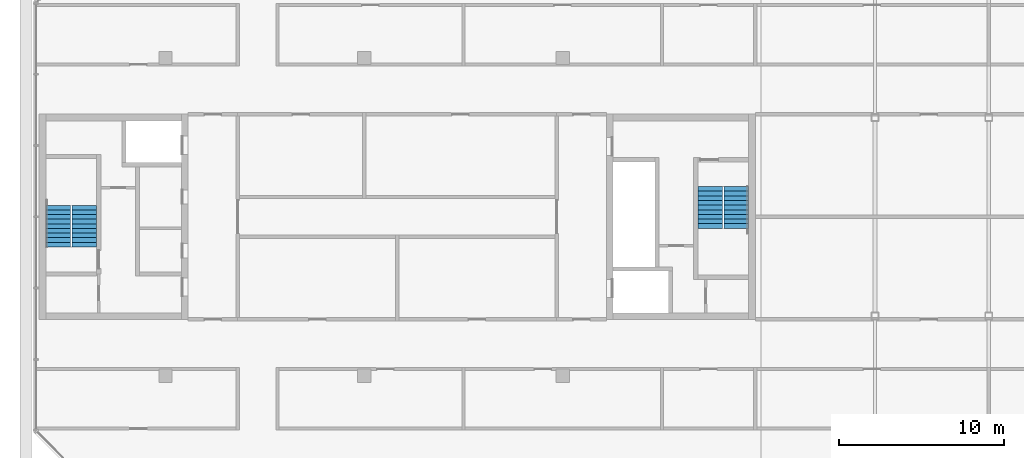
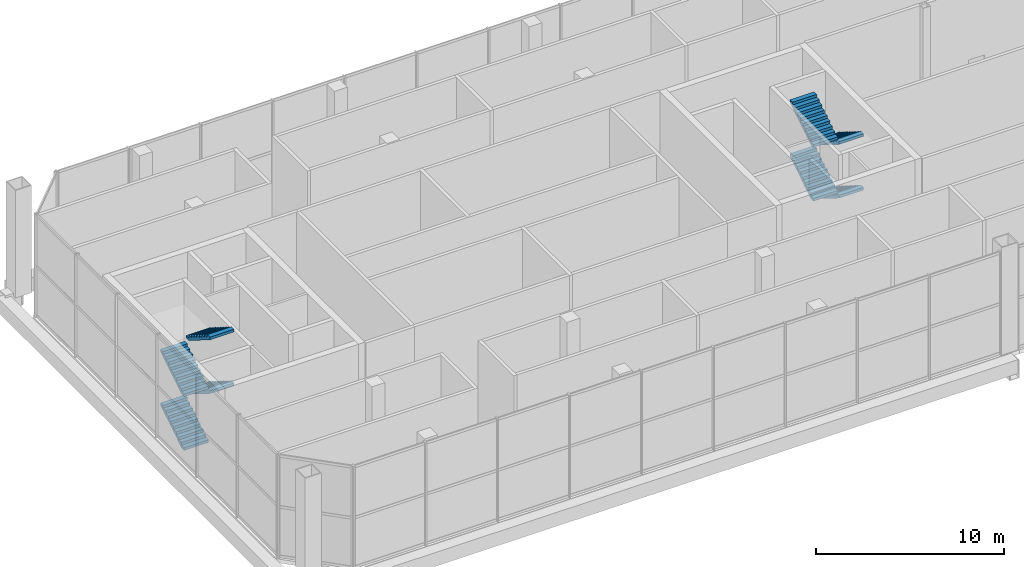
# One storey, part 26 of 27: 8 stair flights, 2 elements without a shape of their own.
"""IFC4 building model written with IfcOpenShell, lengths in metres."""

from ifc_helpers import new_model, si_unit, direction, frame, origin, place, context, subcontext, project, spatial, faceted_brep, material, type_object, element, aggregate, save


model = new_model("IFC4")

# Units and contexts
model_context = context("Model", 3, precision=1e-05, world=origin(), true_north=direction((0.0, 1.0)))
body_context = subcontext(model_context, "Body", "Model", "MODEL_VIEW")
ifc_project = project(units=[si_unit("LENGTHUNIT", "METRE"), si_unit("AREAUNIT", "SQUARE_METRE"), si_unit("VOLUMEUNIT", "CUBIC_METRE"), si_unit("PLANEANGLEUNIT", "RADIAN"), si_unit("MASSUNIT", "GRAM", prefix="KILO")], contexts=[model_context])

# Site, building, storey
site_placement = place(None, origin())
site = spatial("IfcSite", under=ifc_project, at=site_placement, CompositionType="ELEMENT")
building_placement = place(site_placement, origin())
building = spatial("IfcBuilding", under=site, at=building_placement, Name="Tuart Gate Housing", CompositionType="ELEMENT")
storey_placement = place(building_placement, frame((0.0, 0.0, 236.89990234375)))
storey = spatial("IfcBuildingStorey", under=building, at=storey_placement, Name="L67", CompositionType="ELEMENT", Elevation=236.89990234375)

# Stair, stair flights
ifc_material_1 = material(Name="Concrete C40", Category="concrete")
stair_type = type_object("IfcStairType", Name="Core stair 1500", PredefinedType="HALF_TURN_STAIR", material=ifc_material_1)
stair_1_placement = place(storey_placement, origin())
stair_1 = element("IfcStair", 1, at=stair_1_placement, inside=storey, type_object=stair_type, Name="Stair SA1", PredefinedType="HALF_TURN_STAIR")
ifc_material_2 = material(Name="Concrete C40", Category="concrete")
stair_flight_type = type_object("IfcStairFlightType", Name="Stair flight 1500, 10 risers 175 x 280", PredefinedType="STRAIGHT", material=ifc_material_2)
stair_flight_1_placement = place(storey_placement, frame((74.489990234375, 71.824951171875, 0.0), z_axis=(0.0, 0.0, 1.0), x_axis=(0.0, -1.0, 0.0)))
stair_flight_1 = element("IfcStairFlight", 2, at=stair_flight_1_placement, type_object=stair_flight_type, Name="SA1 flight 1", NumberOfRisers=10, NumberOfTreads=9, PredefinedType="STRAIGHT", RiserHeight=0.175, TreadLength=0.28, context=body_context, shape_type="Brep", body=[
    faceted_brep([(0.0, 0.75, 0.0), (0.0, 0.75, 0.175048828125), (0.280029296875, 0.75, 0.175048828125), (0.280029296875, 0.75, 0.35009765625), (0.56005859375, 0.75, 0.35009765625), (0.56005859375, 0.75, 0.52490234375), (0.840087890625, 0.75, 0.52490234375), (0.840087890625, 0.75, 0.699951171875), (1.1201171875, 0.75, 0.699951171875), (1.1201171875, 0.75, 0.875), (1.39990234375, 0.75, 0.875), (1.39990234375, 0.75, 1.050048828125), (1.679931640625, 0.75, 1.050048828125), (1.679931640625, 0.75, 1.22509765625), (1.9599609375, 0.75, 1.22509765625), (1.9599609375, 0.75, 1.39990234375), (2.239990234375, 0.75, 1.39990234375), (2.239990234375, 0.75, 1.574951171875), (2.52001953125, 0.75, 1.574951171875), (2.52001953125, 0.75, 1.398193359375), (0.28271484375, 0.75, 0.0), (0.28271484375, -0.75, 0.0), (2.52001953125, -0.75, 1.398193359375), (2.52001953125, -0.75, 1.574951171875), (2.239990234375, -0.75, 1.574951171875), (2.239990234375, -0.75, 1.39990234375), (1.9599609375, -0.75, 1.39990234375), (1.9599609375, -0.75, 1.22509765625), (1.679931640625, -0.75, 1.22509765625), (1.679931640625, -0.75, 1.050048828125), (1.39990234375, -0.75, 1.050048828125), (1.39990234375, -0.75, 0.875), (1.1201171875, -0.75, 0.875), (1.1201171875, -0.75, 0.699951171875), (0.840087890625, -0.75, 0.699951171875), (0.840087890625, -0.75, 0.52490234375), (0.56005859375, -0.75, 0.52490234375), (0.56005859375, -0.75, 0.35009765625), (0.280029296875, -0.75, 0.35009765625), (0.280029296875, -0.75, 0.175048828125), (0.0, -0.75, 0.175048828125), (0.0, -0.75, 0.0), (2.52001953125, 0.0, 1.398193359375), (0.28271484375, 0.0, 0.0), (2.52001953125, 0.0, 1.574951171875), (2.239990234375, 0.0, 1.574951171875), (2.239990234375, 0.0, 1.39990234375), (1.9599609375, 0.0, 1.39990234375), (1.9599609375, 0.0, 1.22509765625), (1.679931640625, 0.0, 1.22509765625), (1.679931640625, 0.0, 1.050048828125), (1.39990234375, 0.0, 1.050048828125), (1.39990234375, 0.0, 0.875), (1.1201171875, 0.0, 0.875), (1.1201171875, 0.0, 0.699951171875), (0.840087890625, 0.0, 0.699951171875), (0.840087890625, 0.0, 0.52490234375), (0.56005859375, 0.0, 0.52490234375), (0.56005859375, 0.0, 0.35009765625), (0.280029296875, 0.0, 0.35009765625), (0.280029296875, 0.0, 0.175048828125), (0.0, 0.0, 0.175048828125), (0.0, 0.0, 0.0)], [[[0, 1, 2, 3, 4, 5, 6, 7, 8, 9, 10, 11, 12, 13, 14, 15, 16, 17, 18, 19, 20]], [[21, 22, 23, 24, 25, 26, 27, 28, 29, 30, 31, 32, 33, 34, 35, 36, 37, 38, 39, 40, 41]], [[20, 19, 42, 43]], [[43, 42, 22, 21]], [[19, 18, 44, 42]], [[42, 44, 23, 22]], [[18, 17, 45, 44]], [[44, 45, 24, 23]], [[17, 16, 46, 45]], [[45, 46, 25, 24]], [[16, 15, 47, 46]], [[46, 47, 26, 25]], [[15, 14, 48, 47]], [[47, 48, 27, 26]], [[14, 13, 49, 48]], [[48, 49, 28, 27]], [[13, 12, 50, 49]], [[49, 50, 29, 28]], [[12, 11, 51, 50]], [[50, 51, 30, 29]], [[11, 10, 52, 51]], [[51, 52, 31, 30]], [[10, 9, 53, 52]], [[52, 53, 32, 31]], [[9, 8, 54, 53]], [[53, 54, 33, 32]], [[8, 7, 55, 54]], [[54, 55, 34, 33]], [[7, 6, 56, 55]], [[55, 56, 35, 34]], [[6, 5, 57, 56]], [[56, 57, 36, 35]], [[5, 4, 58, 57]], [[57, 58, 37, 36]], [[4, 3, 59, 58]], [[58, 59, 38, 37]], [[3, 2, 60, 59]], [[59, 60, 39, 38]], [[2, 1, 61, 60]], [[60, 61, 40, 39]], [[1, 0, 62, 61]], [[61, 62, 41, 40]], [[0, 20, 43, 62]], [[62, 43, 21, 41]]]),
])
stair_flight_2_placement = place(storey_placement, frame((72.9150390625, 69.304931640625, 1.75), z_axis=(0.0, 0.0, 1.0), x_axis=(0.0, 1.0, 0.0)))
stair_flight_2 = element("IfcStairFlight", 3, at=stair_flight_2_placement, type_object=stair_flight_type, Name="SA1 flight 2", NumberOfRisers=10, NumberOfTreads=9, PredefinedType="STRAIGHT", RiserHeight=0.175, TreadLength=0.28, context=body_context, shape_type="Brep", body=[
    faceted_brep([(0.0, 0.75, 0.0), (0.0, 0.75, 0.175048828125), (0.280029296875, 0.75, 0.175048828125), (0.280029296875, 0.75, 0.35009765625), (0.56005859375, 0.75, 0.35009765625), (0.56005859375, 0.75, 0.52490234375), (0.840087890625, 0.75, 0.52490234375), (0.840087890625, 0.75, 0.699951171875), (1.1201171875, 0.75, 0.699951171875), (1.1201171875, 0.75, 0.875), (1.39990234375, 0.75, 0.875), (1.39990234375, 0.75, 1.050048828125), (1.679931640625, 0.75, 1.050048828125), (1.679931640625, 0.75, 1.22509765625), (1.9599609375, 0.75, 1.22509765625), (1.9599609375, 0.75, 1.39990234375), (2.239990234375, 0.75, 1.39990234375), (2.239990234375, 0.75, 1.574951171875), (2.52001953125, 0.75, 1.574951171875), (2.52001953125, 0.75, 1.398193359375), (0.28271484375, 0.75, 0.0), (0.28271484375, -0.75, 0.0), (2.52001953125, -0.75, 1.398193359375), (2.52001953125, -0.75, 1.574951171875), (2.239990234375, -0.75, 1.574951171875), (2.239990234375, -0.75, 1.39990234375), (1.9599609375, -0.75, 1.39990234375), (1.9599609375, -0.75, 1.22509765625), (1.679931640625, -0.75, 1.22509765625), (1.679931640625, -0.75, 1.050048828125), (1.39990234375, -0.75, 1.050048828125), (1.39990234375, -0.75, 0.875), (1.1201171875, -0.75, 0.875), (1.1201171875, -0.75, 0.699951171875), (0.840087890625, -0.75, 0.699951171875), (0.840087890625, -0.75, 0.52490234375), (0.56005859375, -0.75, 0.52490234375), (0.56005859375, -0.75, 0.35009765625), (0.280029296875, -0.75, 0.35009765625), (0.280029296875, -0.75, 0.175048828125), (0.0, -0.75, 0.175048828125), (0.0, -0.75, 0.0), (2.52001953125, 0.0, 1.398193359375), (0.28271484375, 0.0, 0.0), (2.52001953125, 0.0, 1.574951171875), (2.239990234375, 0.0, 1.574951171875), (2.239990234375, 0.0, 1.39990234375), (1.9599609375, 0.0, 1.39990234375), (1.9599609375, 0.0, 1.22509765625), (1.679931640625, 0.0, 1.22509765625), (1.679931640625, 0.0, 1.050048828125), (1.39990234375, 0.0, 1.050048828125), (1.39990234375, 0.0, 0.875), (1.1201171875, 0.0, 0.875), (1.1201171875, 0.0, 0.699951171875), (0.840087890625, 0.0, 0.699951171875), (0.840087890625, 0.0, 0.52490234375), (0.56005859375, 0.0, 0.52490234375), (0.56005859375, 0.0, 0.35009765625), (0.280029296875, 0.0, 0.35009765625), (0.280029296875, 0.0, 0.175048828125), (0.0, 0.0, 0.175048828125), (0.0, 0.0, 0.0)], [[[0, 1, 2, 3, 4, 5, 6, 7, 8, 9, 10, 11, 12, 13, 14, 15, 16, 17, 18, 19, 20]], [[21, 22, 23, 24, 25, 26, 27, 28, 29, 30, 31, 32, 33, 34, 35, 36, 37, 38, 39, 40, 41]], [[20, 19, 42, 43]], [[43, 42, 22, 21]], [[19, 18, 44, 42]], [[42, 44, 23, 22]], [[18, 17, 45, 44]], [[44, 45, 24, 23]], [[17, 16, 46, 45]], [[45, 46, 25, 24]], [[16, 15, 47, 46]], [[46, 47, 26, 25]], [[15, 14, 48, 47]], [[47, 48, 27, 26]], [[14, 13, 49, 48]], [[48, 49, 28, 27]], [[13, 12, 50, 49]], [[49, 50, 29, 28]], [[12, 11, 51, 50]], [[50, 51, 30, 29]], [[11, 10, 52, 51]], [[51, 52, 31, 30]], [[10, 9, 53, 52]], [[52, 53, 32, 31]], [[9, 8, 54, 53]], [[53, 54, 33, 32]], [[8, 7, 55, 54]], [[54, 55, 34, 33]], [[7, 6, 56, 55]], [[55, 56, 35, 34]], [[6, 5, 57, 56]], [[56, 57, 36, 35]], [[5, 4, 58, 57]], [[57, 58, 37, 36]], [[4, 3, 59, 58]], [[58, 59, 38, 37]], [[3, 2, 60, 59]], [[59, 60, 39, 38]], [[2, 1, 61, 60]], [[60, 61, 40, 39]], [[1, 0, 62, 61]], [[61, 62, 41, 40]], [[0, 20, 43, 62]], [[62, 43, 21, 41]]]),
])
stair_flight_3_placement = place(storey_placement, frame((74.489990234375, 71.824951171875, 3.5), z_axis=(0.0, 0.0, 1.0), x_axis=(0.0, -1.0, 0.0)))
stair_flight_3 = element("IfcStairFlight", 4, at=stair_flight_3_placement, type_object=stair_flight_type, Name="SA1 flight 3", NumberOfRisers=10, NumberOfTreads=9, PredefinedType="STRAIGHT", RiserHeight=0.175, TreadLength=0.28, context=body_context, shape_type="Brep", body=[
    faceted_brep([(0.0, 0.75, 0.0), (0.0, 0.75, 0.175048828125), (0.280029296875, 0.75, 0.175048828125), (0.280029296875, 0.75, 0.35009765625), (0.56005859375, 0.75, 0.35009765625), (0.56005859375, 0.75, 0.52490234375), (0.840087890625, 0.75, 0.52490234375), (0.840087890625, 0.75, 0.699951171875), (1.1201171875, 0.75, 0.699951171875), (1.1201171875, 0.75, 0.875), (1.39990234375, 0.75, 0.875), (1.39990234375, 0.75, 1.050048828125), (1.679931640625, 0.75, 1.050048828125), (1.679931640625, 0.75, 1.22509765625), (1.9599609375, 0.75, 1.22509765625), (1.9599609375, 0.75, 1.39990234375), (2.239990234375, 0.75, 1.39990234375), (2.239990234375, 0.75, 1.574951171875), (2.52001953125, 0.75, 1.574951171875), (2.52001953125, 0.75, 1.398193359375), (0.28271484375, 0.75, 0.0), (0.28271484375, -0.75, 0.0), (2.52001953125, -0.75, 1.398193359375), (2.52001953125, -0.75, 1.574951171875), (2.239990234375, -0.75, 1.574951171875), (2.239990234375, -0.75, 1.39990234375), (1.9599609375, -0.75, 1.39990234375), (1.9599609375, -0.75, 1.22509765625), (1.679931640625, -0.75, 1.22509765625), (1.679931640625, -0.75, 1.050048828125), (1.39990234375, -0.75, 1.050048828125), (1.39990234375, -0.75, 0.875), (1.1201171875, -0.75, 0.875), (1.1201171875, -0.75, 0.699951171875), (0.840087890625, -0.75, 0.699951171875), (0.840087890625, -0.75, 0.52490234375), (0.56005859375, -0.75, 0.52490234375), (0.56005859375, -0.75, 0.35009765625), (0.280029296875, -0.75, 0.35009765625), (0.280029296875, -0.75, 0.175048828125), (0.0, -0.75, 0.175048828125), (0.0, -0.75, 0.0), (2.52001953125, 0.0, 1.398193359375), (0.28271484375, 0.0, 0.0), (2.52001953125, 0.0, 1.574951171875), (2.239990234375, 0.0, 1.574951171875), (2.239990234375, 0.0, 1.39990234375), (1.9599609375, 0.0, 1.39990234375), (1.9599609375, 0.0, 1.22509765625), (1.679931640625, 0.0, 1.22509765625), (1.679931640625, 0.0, 1.050048828125), (1.39990234375, 0.0, 1.050048828125), (1.39990234375, 0.0, 0.875), (1.1201171875, 0.0, 0.875), (1.1201171875, 0.0, 0.699951171875), (0.840087890625, 0.0, 0.699951171875), (0.840087890625, 0.0, 0.52490234375), (0.56005859375, 0.0, 0.52490234375), (0.56005859375, 0.0, 0.35009765625), (0.280029296875, 0.0, 0.35009765625), (0.280029296875, 0.0, 0.175048828125), (0.0, 0.0, 0.175048828125), (0.0, 0.0, 0.0)], [[[0, 1, 2, 3, 4, 5, 6, 7, 8, 9, 10, 11, 12, 13, 14, 15, 16, 17, 18, 19, 20]], [[21, 22, 23, 24, 25, 26, 27, 28, 29, 30, 31, 32, 33, 34, 35, 36, 37, 38, 39, 40, 41]], [[20, 19, 42, 43]], [[43, 42, 22, 21]], [[19, 18, 44, 42]], [[42, 44, 23, 22]], [[18, 17, 45, 44]], [[44, 45, 24, 23]], [[17, 16, 46, 45]], [[45, 46, 25, 24]], [[16, 15, 47, 46]], [[46, 47, 26, 25]], [[15, 14, 48, 47]], [[47, 48, 27, 26]], [[14, 13, 49, 48]], [[48, 49, 28, 27]], [[13, 12, 50, 49]], [[49, 50, 29, 28]], [[12, 11, 51, 50]], [[50, 51, 30, 29]], [[11, 10, 52, 51]], [[51, 52, 31, 30]], [[10, 9, 53, 52]], [[52, 53, 32, 31]], [[9, 8, 54, 53]], [[53, 54, 33, 32]], [[8, 7, 55, 54]], [[54, 55, 34, 33]], [[7, 6, 56, 55]], [[55, 56, 35, 34]], [[6, 5, 57, 56]], [[56, 57, 36, 35]], [[5, 4, 58, 57]], [[57, 58, 37, 36]], [[4, 3, 59, 58]], [[58, 59, 38, 37]], [[3, 2, 60, 59]], [[59, 60, 39, 38]], [[2, 1, 61, 60]], [[60, 61, 40, 39]], [[1, 0, 62, 61]], [[61, 62, 41, 40]], [[0, 20, 43, 62]], [[62, 43, 21, 41]]]),
])
stair_flight_4_placement = place(storey_placement, frame((72.9150390625, 69.304931640625, 5.25), z_axis=(0.0, 0.0, 1.0), x_axis=(0.0, 1.0, 0.0)))
stair_flight_4 = element("IfcStairFlight", 5, at=stair_flight_4_placement, type_object=stair_flight_type, Name="SA1 flight 4", NumberOfRisers=10, NumberOfTreads=9, PredefinedType="STRAIGHT", RiserHeight=0.175, TreadLength=0.28, context=body_context, shape_type="Brep", body=[
    faceted_brep([(0.0, 0.75, 0.0), (0.0, 0.75, 0.175048828125), (0.280029296875, 0.75, 0.175048828125), (0.280029296875, 0.75, 0.35009765625), (0.56005859375, 0.75, 0.35009765625), (0.56005859375, 0.75, 0.52490234375), (0.840087890625, 0.75, 0.52490234375), (0.840087890625, 0.75, 0.699951171875), (1.1201171875, 0.75, 0.699951171875), (1.1201171875, 0.75, 0.875), (1.39990234375, 0.75, 0.875), (1.39990234375, 0.75, 1.050048828125), (1.679931640625, 0.75, 1.050048828125), (1.679931640625, 0.75, 1.22509765625), (1.9599609375, 0.75, 1.22509765625), (1.9599609375, 0.75, 1.39990234375), (2.239990234375, 0.75, 1.39990234375), (2.239990234375, 0.75, 1.574951171875), (2.52001953125, 0.75, 1.574951171875), (2.52001953125, 0.75, 1.398193359375), (0.28271484375, 0.75, 0.0), (0.28271484375, -0.75, 0.0), (2.52001953125, -0.75, 1.398193359375), (2.52001953125, -0.75, 1.574951171875), (2.239990234375, -0.75, 1.574951171875), (2.239990234375, -0.75, 1.39990234375), (1.9599609375, -0.75, 1.39990234375), (1.9599609375, -0.75, 1.22509765625), (1.679931640625, -0.75, 1.22509765625), (1.679931640625, -0.75, 1.050048828125), (1.39990234375, -0.75, 1.050048828125), (1.39990234375, -0.75, 0.875), (1.1201171875, -0.75, 0.875), (1.1201171875, -0.75, 0.699951171875), (0.840087890625, -0.75, 0.699951171875), (0.840087890625, -0.75, 0.52490234375), (0.56005859375, -0.75, 0.52490234375), (0.56005859375, -0.75, 0.35009765625), (0.280029296875, -0.75, 0.35009765625), (0.280029296875, -0.75, 0.175048828125), (0.0, -0.75, 0.175048828125), (0.0, -0.75, 0.0), (2.52001953125, 0.0, 1.398193359375), (0.28271484375, 0.0, 0.0), (2.52001953125, 0.0, 1.574951171875), (2.239990234375, 0.0, 1.574951171875), (2.239990234375, 0.0, 1.39990234375), (1.9599609375, 0.0, 1.39990234375), (1.9599609375, 0.0, 1.22509765625), (1.679931640625, 0.0, 1.22509765625), (1.679931640625, 0.0, 1.050048828125), (1.39990234375, 0.0, 1.050048828125), (1.39990234375, 0.0, 0.875), (1.1201171875, 0.0, 0.875), (1.1201171875, 0.0, 0.699951171875), (0.840087890625, 0.0, 0.699951171875), (0.840087890625, 0.0, 0.52490234375), (0.56005859375, 0.0, 0.52490234375), (0.56005859375, 0.0, 0.35009765625), (0.280029296875, 0.0, 0.35009765625), (0.280029296875, 0.0, 0.175048828125), (0.0, 0.0, 0.175048828125), (0.0, 0.0, 0.0)], [[[0, 1, 2, 3, 4, 5, 6, 7, 8, 9, 10, 11, 12, 13, 14, 15, 16, 17, 18, 19, 20]], [[21, 22, 23, 24, 25, 26, 27, 28, 29, 30, 31, 32, 33, 34, 35, 36, 37, 38, 39, 40, 41]], [[20, 19, 42, 43]], [[43, 42, 22, 21]], [[19, 18, 44, 42]], [[42, 44, 23, 22]], [[18, 17, 45, 44]], [[44, 45, 24, 23]], [[17, 16, 46, 45]], [[45, 46, 25, 24]], [[16, 15, 47, 46]], [[46, 47, 26, 25]], [[15, 14, 48, 47]], [[47, 48, 27, 26]], [[14, 13, 49, 48]], [[48, 49, 28, 27]], [[13, 12, 50, 49]], [[49, 50, 29, 28]], [[12, 11, 51, 50]], [[50, 51, 30, 29]], [[11, 10, 52, 51]], [[51, 52, 31, 30]], [[10, 9, 53, 52]], [[52, 53, 32, 31]], [[9, 8, 54, 53]], [[53, 54, 33, 32]], [[8, 7, 55, 54]], [[54, 55, 34, 33]], [[7, 6, 56, 55]], [[55, 56, 35, 34]], [[6, 5, 57, 56]], [[56, 57, 36, 35]], [[5, 4, 58, 57]], [[57, 58, 37, 36]], [[4, 3, 59, 58]], [[58, 59, 38, 37]], [[3, 2, 60, 59]], [[59, 60, 39, 38]], [[2, 1, 61, 60]], [[60, 61, 40, 39]], [[1, 0, 62, 61]], [[61, 62, 41, 40]], [[0, 20, 43, 62]], [[62, 43, 21, 41]]]),
])
aggregate(stair_1, [stair_flight_1, stair_flight_2, stair_flight_3, stair_flight_4])

stair_2_placement = place(storey_placement, origin())
stair_2 = element("IfcStair", 6, at=stair_2_placement, inside=storey, type_object=stair_type, Name="Stair SA2", PredefinedType="HALF_TURN_STAIR")
stair_flight_5_placement = place(storey_placement, frame((33.510009765625, 68.175048828125, 0.0), z_axis=(0.0, 0.0, 1.0), x_axis=(0.0, 1.0, 0.0)))
stair_flight_5 = element("IfcStairFlight", 7, at=stair_flight_5_placement, type_object=stair_flight_type, Name="SA2 flight 1", NumberOfRisers=10, NumberOfTreads=9, PredefinedType="STRAIGHT", RiserHeight=0.175, TreadLength=0.28, context=body_context, shape_type="Brep", body=[
    faceted_brep([(0.0, 0.75, 0.0), (0.0, 0.75, 0.175048828125), (0.280029296875, 0.75, 0.175048828125), (0.280029296875, 0.75, 0.35009765625), (0.56005859375, 0.75, 0.35009765625), (0.56005859375, 0.75, 0.52490234375), (0.840087890625, 0.75, 0.52490234375), (0.840087890625, 0.75, 0.699951171875), (1.1201171875, 0.75, 0.699951171875), (1.1201171875, 0.75, 0.875), (1.39990234375, 0.75, 0.875), (1.39990234375, 0.75, 1.050048828125), (1.679931640625, 0.75, 1.050048828125), (1.679931640625, 0.75, 1.22509765625), (1.9599609375, 0.75, 1.22509765625), (1.9599609375, 0.75, 1.39990234375), (2.239990234375, 0.75, 1.39990234375), (2.239990234375, 0.75, 1.574951171875), (2.52001953125, 0.75, 1.574951171875), (2.52001953125, 0.75, 1.398193359375), (0.28271484375, 0.75, 0.0), (0.28271484375, -0.75, 0.0), (2.52001953125, -0.75, 1.398193359375), (2.52001953125, -0.75, 1.574951171875), (2.239990234375, -0.75, 1.574951171875), (2.239990234375, -0.75, 1.39990234375), (1.9599609375, -0.75, 1.39990234375), (1.9599609375, -0.75, 1.22509765625), (1.679931640625, -0.75, 1.22509765625), (1.679931640625, -0.75, 1.050048828125), (1.39990234375, -0.75, 1.050048828125), (1.39990234375, -0.75, 0.875), (1.1201171875, -0.75, 0.875), (1.1201171875, -0.75, 0.699951171875), (0.840087890625, -0.75, 0.699951171875), (0.840087890625, -0.75, 0.52490234375), (0.56005859375, -0.75, 0.52490234375), (0.56005859375, -0.75, 0.35009765625), (0.280029296875, -0.75, 0.35009765625), (0.280029296875, -0.75, 0.175048828125), (0.0, -0.75, 0.175048828125), (0.0, -0.75, 0.0), (2.52001953125, 0.0, 1.398193359375), (0.28271484375, 0.0, 0.0), (2.52001953125, 0.0, 1.574951171875), (2.239990234375, 0.0, 1.574951171875), (2.239990234375, 0.0, 1.39990234375), (1.9599609375, 0.0, 1.39990234375), (1.9599609375, 0.0, 1.22509765625), (1.679931640625, 0.0, 1.22509765625), (1.679931640625, 0.0, 1.050048828125), (1.39990234375, 0.0, 1.050048828125), (1.39990234375, 0.0, 0.875), (1.1201171875, 0.0, 0.875), (1.1201171875, 0.0, 0.699951171875), (0.840087890625, 0.0, 0.699951171875), (0.840087890625, 0.0, 0.52490234375), (0.56005859375, 0.0, 0.52490234375), (0.56005859375, 0.0, 0.35009765625), (0.280029296875, 0.0, 0.35009765625), (0.280029296875, 0.0, 0.175048828125), (0.0, 0.0, 0.175048828125), (0.0, 0.0, 0.0)], [[[0, 1, 2, 3, 4, 5, 6, 7, 8, 9, 10, 11, 12, 13, 14, 15, 16, 17, 18, 19, 20]], [[21, 22, 23, 24, 25, 26, 27, 28, 29, 30, 31, 32, 33, 34, 35, 36, 37, 38, 39, 40, 41]], [[20, 19, 42, 43]], [[43, 42, 22, 21]], [[19, 18, 44, 42]], [[42, 44, 23, 22]], [[18, 17, 45, 44]], [[44, 45, 24, 23]], [[17, 16, 46, 45]], [[45, 46, 25, 24]], [[16, 15, 47, 46]], [[46, 47, 26, 25]], [[15, 14, 48, 47]], [[47, 48, 27, 26]], [[14, 13, 49, 48]], [[48, 49, 28, 27]], [[13, 12, 50, 49]], [[49, 50, 29, 28]], [[12, 11, 51, 50]], [[50, 51, 30, 29]], [[11, 10, 52, 51]], [[51, 52, 31, 30]], [[10, 9, 53, 52]], [[52, 53, 32, 31]], [[9, 8, 54, 53]], [[53, 54, 33, 32]], [[8, 7, 55, 54]], [[54, 55, 34, 33]], [[7, 6, 56, 55]], [[55, 56, 35, 34]], [[6, 5, 57, 56]], [[56, 57, 36, 35]], [[5, 4, 58, 57]], [[57, 58, 37, 36]], [[4, 3, 59, 58]], [[58, 59, 38, 37]], [[3, 2, 60, 59]], [[59, 60, 39, 38]], [[2, 1, 61, 60]], [[60, 61, 40, 39]], [[1, 0, 62, 61]], [[61, 62, 41, 40]], [[0, 20, 43, 62]], [[62, 43, 21, 41]]]),
])
stair_flight_6_placement = place(storey_placement, frame((35.0849609375, 70.695068359375, 1.75), z_axis=(0.0, 0.0, 1.0), x_axis=(0.0, -1.0, 0.0)))
stair_flight_6 = element("IfcStairFlight", 8, at=stair_flight_6_placement, type_object=stair_flight_type, Name="SA2 flight 2", NumberOfRisers=10, NumberOfTreads=9, PredefinedType="STRAIGHT", RiserHeight=0.175, TreadLength=0.28, context=body_context, shape_type="Brep", body=[
    faceted_brep([(0.0, 0.75, 0.0), (0.0, 0.75, 0.175048828125), (0.280029296875, 0.75, 0.175048828125), (0.280029296875, 0.75, 0.35009765625), (0.56005859375, 0.75, 0.35009765625), (0.56005859375, 0.75, 0.52490234375), (0.840087890625, 0.75, 0.52490234375), (0.840087890625, 0.75, 0.699951171875), (1.1201171875, 0.75, 0.699951171875), (1.1201171875, 0.75, 0.875), (1.39990234375, 0.75, 0.875), (1.39990234375, 0.75, 1.050048828125), (1.679931640625, 0.75, 1.050048828125), (1.679931640625, 0.75, 1.22509765625), (1.9599609375, 0.75, 1.22509765625), (1.9599609375, 0.75, 1.39990234375), (2.239990234375, 0.75, 1.39990234375), (2.239990234375, 0.75, 1.574951171875), (2.52001953125, 0.75, 1.574951171875), (2.52001953125, 0.75, 1.398193359375), (0.28271484375, 0.75, 0.0), (0.28271484375, -0.75, 0.0), (2.52001953125, -0.75, 1.398193359375), (2.52001953125, -0.75, 1.574951171875), (2.239990234375, -0.75, 1.574951171875), (2.239990234375, -0.75, 1.39990234375), (1.9599609375, -0.75, 1.39990234375), (1.9599609375, -0.75, 1.22509765625), (1.679931640625, -0.75, 1.22509765625), (1.679931640625, -0.75, 1.050048828125), (1.39990234375, -0.75, 1.050048828125), (1.39990234375, -0.75, 0.875), (1.1201171875, -0.75, 0.875), (1.1201171875, -0.75, 0.699951171875), (0.840087890625, -0.75, 0.699951171875), (0.840087890625, -0.75, 0.52490234375), (0.56005859375, -0.75, 0.52490234375), (0.56005859375, -0.75, 0.35009765625), (0.280029296875, -0.75, 0.35009765625), (0.280029296875, -0.75, 0.175048828125), (0.0, -0.75, 0.175048828125), (0.0, -0.75, 0.0), (2.52001953125, 0.0, 1.398193359375), (0.28271484375, 0.0, 0.0), (2.52001953125, 0.0, 1.574951171875), (2.239990234375, 0.0, 1.574951171875), (2.239990234375, 0.0, 1.39990234375), (1.9599609375, 0.0, 1.39990234375), (1.9599609375, 0.0, 1.22509765625), (1.679931640625, 0.0, 1.22509765625), (1.679931640625, 0.0, 1.050048828125), (1.39990234375, 0.0, 1.050048828125), (1.39990234375, 0.0, 0.875), (1.1201171875, 0.0, 0.875), (1.1201171875, 0.0, 0.699951171875), (0.840087890625, 0.0, 0.699951171875), (0.840087890625, 0.0, 0.52490234375), (0.56005859375, 0.0, 0.52490234375), (0.56005859375, 0.0, 0.35009765625), (0.280029296875, 0.0, 0.35009765625), (0.280029296875, 0.0, 0.175048828125), (0.0, 0.0, 0.175048828125), (0.0, 0.0, 0.0)], [[[0, 1, 2, 3, 4, 5, 6, 7, 8, 9, 10, 11, 12, 13, 14, 15, 16, 17, 18, 19, 20]], [[21, 22, 23, 24, 25, 26, 27, 28, 29, 30, 31, 32, 33, 34, 35, 36, 37, 38, 39, 40, 41]], [[20, 19, 42, 43]], [[43, 42, 22, 21]], [[19, 18, 44, 42]], [[42, 44, 23, 22]], [[18, 17, 45, 44]], [[44, 45, 24, 23]], [[17, 16, 46, 45]], [[45, 46, 25, 24]], [[16, 15, 47, 46]], [[46, 47, 26, 25]], [[15, 14, 48, 47]], [[47, 48, 27, 26]], [[14, 13, 49, 48]], [[48, 49, 28, 27]], [[13, 12, 50, 49]], [[49, 50, 29, 28]], [[12, 11, 51, 50]], [[50, 51, 30, 29]], [[11, 10, 52, 51]], [[51, 52, 31, 30]], [[10, 9, 53, 52]], [[52, 53, 32, 31]], [[9, 8, 54, 53]], [[53, 54, 33, 32]], [[8, 7, 55, 54]], [[54, 55, 34, 33]], [[7, 6, 56, 55]], [[55, 56, 35, 34]], [[6, 5, 57, 56]], [[56, 57, 36, 35]], [[5, 4, 58, 57]], [[57, 58, 37, 36]], [[4, 3, 59, 58]], [[58, 59, 38, 37]], [[3, 2, 60, 59]], [[59, 60, 39, 38]], [[2, 1, 61, 60]], [[60, 61, 40, 39]], [[1, 0, 62, 61]], [[61, 62, 41, 40]], [[0, 20, 43, 62]], [[62, 43, 21, 41]]]),
])
stair_flight_7_placement = place(storey_placement, frame((33.510009765625, 68.175048828125, 3.5), z_axis=(0.0, 0.0, 1.0), x_axis=(0.0, 1.0, 0.0)))
stair_flight_7 = element("IfcStairFlight", 9, at=stair_flight_7_placement, type_object=stair_flight_type, Name="SA2 flight 3", NumberOfRisers=10, NumberOfTreads=9, PredefinedType="STRAIGHT", RiserHeight=0.175, TreadLength=0.28, context=body_context, shape_type="Brep", body=[
    faceted_brep([(0.0, 0.75, 0.0), (0.0, 0.75, 0.175048828125), (0.280029296875, 0.75, 0.175048828125), (0.280029296875, 0.75, 0.35009765625), (0.56005859375, 0.75, 0.35009765625), (0.56005859375, 0.75, 0.52490234375), (0.840087890625, 0.75, 0.52490234375), (0.840087890625, 0.75, 0.699951171875), (1.1201171875, 0.75, 0.699951171875), (1.1201171875, 0.75, 0.875), (1.39990234375, 0.75, 0.875), (1.39990234375, 0.75, 1.050048828125), (1.679931640625, 0.75, 1.050048828125), (1.679931640625, 0.75, 1.22509765625), (1.9599609375, 0.75, 1.22509765625), (1.9599609375, 0.75, 1.39990234375), (2.239990234375, 0.75, 1.39990234375), (2.239990234375, 0.75, 1.574951171875), (2.52001953125, 0.75, 1.574951171875), (2.52001953125, 0.75, 1.398193359375), (0.28271484375, 0.75, 0.0), (0.28271484375, -0.75, 0.0), (2.52001953125, -0.75, 1.398193359375), (2.52001953125, -0.75, 1.574951171875), (2.239990234375, -0.75, 1.574951171875), (2.239990234375, -0.75, 1.39990234375), (1.9599609375, -0.75, 1.39990234375), (1.9599609375, -0.75, 1.22509765625), (1.679931640625, -0.75, 1.22509765625), (1.679931640625, -0.75, 1.050048828125), (1.39990234375, -0.75, 1.050048828125), (1.39990234375, -0.75, 0.875), (1.1201171875, -0.75, 0.875), (1.1201171875, -0.75, 0.699951171875), (0.840087890625, -0.75, 0.699951171875), (0.840087890625, -0.75, 0.52490234375), (0.56005859375, -0.75, 0.52490234375), (0.56005859375, -0.75, 0.35009765625), (0.280029296875, -0.75, 0.35009765625), (0.280029296875, -0.75, 0.175048828125), (0.0, -0.75, 0.175048828125), (0.0, -0.75, 0.0), (2.52001953125, 0.0, 1.398193359375), (0.28271484375, 0.0, 0.0), (2.52001953125, 0.0, 1.574951171875), (2.239990234375, 0.0, 1.574951171875), (2.239990234375, 0.0, 1.39990234375), (1.9599609375, 0.0, 1.39990234375), (1.9599609375, 0.0, 1.22509765625), (1.679931640625, 0.0, 1.22509765625), (1.679931640625, 0.0, 1.050048828125), (1.39990234375, 0.0, 1.050048828125), (1.39990234375, 0.0, 0.875), (1.1201171875, 0.0, 0.875), (1.1201171875, 0.0, 0.699951171875), (0.840087890625, 0.0, 0.699951171875), (0.840087890625, 0.0, 0.52490234375), (0.56005859375, 0.0, 0.52490234375), (0.56005859375, 0.0, 0.35009765625), (0.280029296875, 0.0, 0.35009765625), (0.280029296875, 0.0, 0.175048828125), (0.0, 0.0, 0.175048828125), (0.0, 0.0, 0.0)], [[[0, 1, 2, 3, 4, 5, 6, 7, 8, 9, 10, 11, 12, 13, 14, 15, 16, 17, 18, 19, 20]], [[21, 22, 23, 24, 25, 26, 27, 28, 29, 30, 31, 32, 33, 34, 35, 36, 37, 38, 39, 40, 41]], [[20, 19, 42, 43]], [[43, 42, 22, 21]], [[19, 18, 44, 42]], [[42, 44, 23, 22]], [[18, 17, 45, 44]], [[44, 45, 24, 23]], [[17, 16, 46, 45]], [[45, 46, 25, 24]], [[16, 15, 47, 46]], [[46, 47, 26, 25]], [[15, 14, 48, 47]], [[47, 48, 27, 26]], [[14, 13, 49, 48]], [[48, 49, 28, 27]], [[13, 12, 50, 49]], [[49, 50, 29, 28]], [[12, 11, 51, 50]], [[50, 51, 30, 29]], [[11, 10, 52, 51]], [[51, 52, 31, 30]], [[10, 9, 53, 52]], [[52, 53, 32, 31]], [[9, 8, 54, 53]], [[53, 54, 33, 32]], [[8, 7, 55, 54]], [[54, 55, 34, 33]], [[7, 6, 56, 55]], [[55, 56, 35, 34]], [[6, 5, 57, 56]], [[56, 57, 36, 35]], [[5, 4, 58, 57]], [[57, 58, 37, 36]], [[4, 3, 59, 58]], [[58, 59, 38, 37]], [[3, 2, 60, 59]], [[59, 60, 39, 38]], [[2, 1, 61, 60]], [[60, 61, 40, 39]], [[1, 0, 62, 61]], [[61, 62, 41, 40]], [[0, 20, 43, 62]], [[62, 43, 21, 41]]]),
])
stair_flight_8_placement = place(storey_placement, frame((35.0849609375, 70.695068359375, 5.25), z_axis=(0.0, 0.0, 1.0), x_axis=(0.0, -1.0, 0.0)))
stair_flight_8 = element("IfcStairFlight", 10, at=stair_flight_8_placement, type_object=stair_flight_type, Name="SA2 flight 4", NumberOfRisers=10, NumberOfTreads=9, PredefinedType="STRAIGHT", RiserHeight=0.175, TreadLength=0.28, context=body_context, shape_type="Brep", body=[
    faceted_brep([(0.0, 0.75, 0.0), (0.0, 0.75, 0.175048828125), (0.280029296875, 0.75, 0.175048828125), (0.280029296875, 0.75, 0.35009765625), (0.56005859375, 0.75, 0.35009765625), (0.56005859375, 0.75, 0.52490234375), (0.840087890625, 0.75, 0.52490234375), (0.840087890625, 0.75, 0.699951171875), (1.1201171875, 0.75, 0.699951171875), (1.1201171875, 0.75, 0.875), (1.39990234375, 0.75, 0.875), (1.39990234375, 0.75, 1.050048828125), (1.679931640625, 0.75, 1.050048828125), (1.679931640625, 0.75, 1.22509765625), (1.9599609375, 0.75, 1.22509765625), (1.9599609375, 0.75, 1.39990234375), (2.239990234375, 0.75, 1.39990234375), (2.239990234375, 0.75, 1.574951171875), (2.52001953125, 0.75, 1.574951171875), (2.52001953125, 0.75, 1.398193359375), (0.28271484375, 0.75, 0.0), (0.28271484375, -0.75, 0.0), (2.52001953125, -0.75, 1.398193359375), (2.52001953125, -0.75, 1.574951171875), (2.239990234375, -0.75, 1.574951171875), (2.239990234375, -0.75, 1.39990234375), (1.9599609375, -0.75, 1.39990234375), (1.9599609375, -0.75, 1.22509765625), (1.679931640625, -0.75, 1.22509765625), (1.679931640625, -0.75, 1.050048828125), (1.39990234375, -0.75, 1.050048828125), (1.39990234375, -0.75, 0.875), (1.1201171875, -0.75, 0.875), (1.1201171875, -0.75, 0.699951171875), (0.840087890625, -0.75, 0.699951171875), (0.840087890625, -0.75, 0.52490234375), (0.56005859375, -0.75, 0.52490234375), (0.56005859375, -0.75, 0.35009765625), (0.280029296875, -0.75, 0.35009765625), (0.280029296875, -0.75, 0.175048828125), (0.0, -0.75, 0.175048828125), (0.0, -0.75, 0.0), (2.52001953125, 0.0, 1.398193359375), (0.28271484375, 0.0, 0.0), (2.52001953125, 0.0, 1.574951171875), (2.239990234375, 0.0, 1.574951171875), (2.239990234375, 0.0, 1.39990234375), (1.9599609375, 0.0, 1.39990234375), (1.9599609375, 0.0, 1.22509765625), (1.679931640625, 0.0, 1.22509765625), (1.679931640625, 0.0, 1.050048828125), (1.39990234375, 0.0, 1.050048828125), (1.39990234375, 0.0, 0.875), (1.1201171875, 0.0, 0.875), (1.1201171875, 0.0, 0.699951171875), (0.840087890625, 0.0, 0.699951171875), (0.840087890625, 0.0, 0.52490234375), (0.56005859375, 0.0, 0.52490234375), (0.56005859375, 0.0, 0.35009765625), (0.280029296875, 0.0, 0.35009765625), (0.280029296875, 0.0, 0.175048828125), (0.0, 0.0, 0.175048828125), (0.0, 0.0, 0.0)], [[[0, 1, 2, 3, 4, 5, 6, 7, 8, 9, 10, 11, 12, 13, 14, 15, 16, 17, 18, 19, 20]], [[21, 22, 23, 24, 25, 26, 27, 28, 29, 30, 31, 32, 33, 34, 35, 36, 37, 38, 39, 40, 41]], [[20, 19, 42, 43]], [[43, 42, 22, 21]], [[19, 18, 44, 42]], [[42, 44, 23, 22]], [[18, 17, 45, 44]], [[44, 45, 24, 23]], [[17, 16, 46, 45]], [[45, 46, 25, 24]], [[16, 15, 47, 46]], [[46, 47, 26, 25]], [[15, 14, 48, 47]], [[47, 48, 27, 26]], [[14, 13, 49, 48]], [[48, 49, 28, 27]], [[13, 12, 50, 49]], [[49, 50, 29, 28]], [[12, 11, 51, 50]], [[50, 51, 30, 29]], [[11, 10, 52, 51]], [[51, 52, 31, 30]], [[10, 9, 53, 52]], [[52, 53, 32, 31]], [[9, 8, 54, 53]], [[53, 54, 33, 32]], [[8, 7, 55, 54]], [[54, 55, 34, 33]], [[7, 6, 56, 55]], [[55, 56, 35, 34]], [[6, 5, 57, 56]], [[56, 57, 36, 35]], [[5, 4, 58, 57]], [[57, 58, 37, 36]], [[4, 3, 59, 58]], [[58, 59, 38, 37]], [[3, 2, 60, 59]], [[59, 60, 39, 38]], [[2, 1, 61, 60]], [[60, 61, 40, 39]], [[1, 0, 62, 61]], [[61, 62, 41, 40]], [[0, 20, 43, 62]], [[62, 43, 21, 41]]]),
])
aggregate(stair_2, [stair_flight_5, stair_flight_6, stair_flight_7, stair_flight_8])

save(model, "model.ifc")
